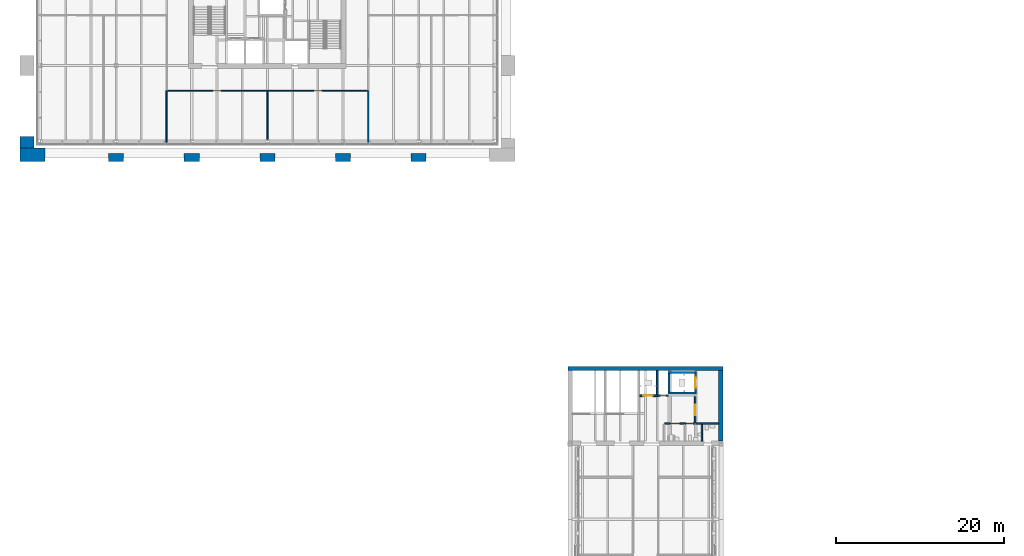
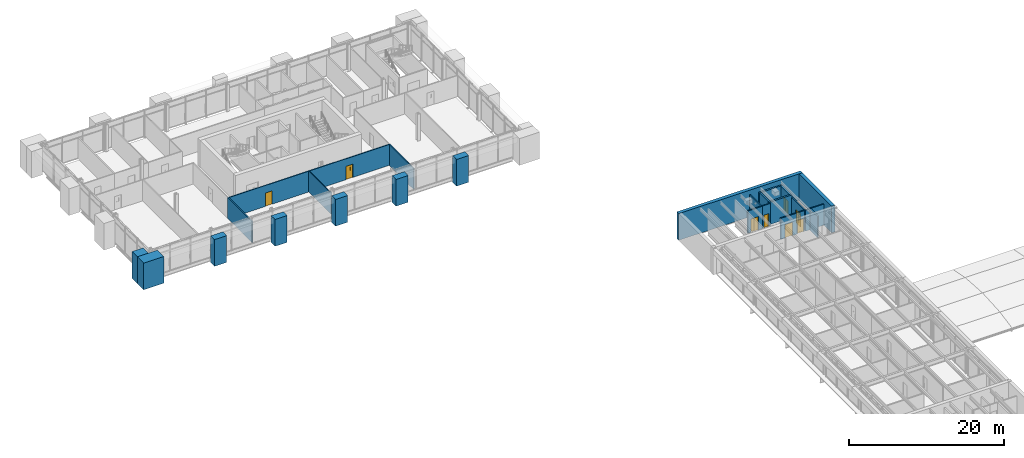
# One storey, part 22 of 43: 27 walls, 8 doors, 8 openings.
"""IFC4 building model written with IfcOpenShell, lengths in metres."""

from ifc_helpers import new_model, si_unit, direction, frame, frame_2d, origin, place, context, subcontext, project, spatial, polyline, rectangle, outline, extrude, material, layer, layer_set, type_object, element, fill, save


model = new_model("IFC4")

# Units and contexts
model_context = context("Model", 3, precision=1e-05, world=origin(), true_north=direction((0.0, 1.0)))
body_context = subcontext(model_context, "Body", "Model", "MODEL_VIEW")
ifc_project = project(units=[si_unit("LENGTHUNIT", "METRE"), si_unit("AREAUNIT", "SQUARE_METRE"), si_unit("VOLUMEUNIT", "CUBIC_METRE"), si_unit("PLANEANGLEUNIT", "RADIAN"), si_unit("MASSUNIT", "GRAM", prefix="KILO")], contexts=[model_context])

# Site, building, storey
site_placement = place(None, origin())
site = spatial("IfcSite", under=ifc_project, at=site_placement, CompositionType="ELEMENT")
building_placement = place(site_placement, origin())
building = spatial("IfcBuilding", under=site, at=building_placement, Name="Baradari Gate Terminus", CompositionType="ELEMENT")
storey_placement = place(building_placement, frame((0.0, 0.0, 20.10009765625)))
storey = spatial("IfcBuildingStorey", under=building, at=storey_placement, Name="L04", CompositionType="ELEMENT", Elevation=20.10009765625)

# Walls
ifc_material_1 = material(Name="Concrete C40/50", Category="concrete")
ifc_layer_1 = layer(ifc_material_1, 0.5)
ifc_layer_set_1 = layer_set([ifc_layer_1], Name="Concrete C40/50")
wall_type_1 = type_object("IfcWallType", Name="Abutment core wall CWL05 500", PredefinedType="SOLIDWALL", material=ifc_layer_set_1)
wall_1_placement = place(storey_placement, frame((71.800048828125, 89.949951171875, 0.0), z_axis=(0.0, 0.0, 1.0), x_axis=(1.0, 0.0, 0.0)))
element("IfcWall", 1, at=wall_1_placement, inside=storey, type_object=wall_type_1, Name="Abutment core wall GN N L04", PredefinedType="SOLIDWALL", context=body_context, shape_type="SweptSolid", body=[
    extrude(rectangle(XDim=18.39990234375, YDim=0.5, at=frame_2d((9.199951171875, 0.0))), origin(), (0.0, 0.0, 1.0), 4.199951171875),
])
wall_2_placement = place(storey_placement, frame((89.949951171875, 81.300048828125, 0.0), z_axis=(0.0, 0.0, 1.0), x_axis=(0.0, 1.0, 0.0)))
element("IfcWall", 2, at=wall_2_placement, inside=storey, type_object=wall_type_1, Name="Abutment core wall GN E L04", PredefinedType="SOLIDWALL", context=body_context, shape_type="SweptSolid", body=[
    extrude(rectangle(XDim=8.39990234375, YDim=0.5, at=frame_2d((4.199951171875, 0.0))), origin(), (0.0, 0.0, 1.0), 4.199951171875),
])

# Wall, opening, door
ifc_material_2 = material(Name="Gypsum board")
ifc_layer_2 = layer(ifc_material_2, 0.125)
ifc_layer_set_2 = layer_set([ifc_layer_2], Name="Gypsum board")
wall_type_2 = type_object("IfcWallType", Name="Corridor partition PT-5 125 EI 30", PredefinedType="PARTITIONING", material=ifc_layer_set_2)
wall_3_placement = place(storey_placement, frame((47.925048828125, 123.0, 0.0), z_axis=(0.0, 0.0, 1.0), x_axis=(-1.0, 0.0, 0.0)))
wall_3 = element("IfcWall", 3, at=wall_3_placement, inside=storey, type_object=wall_type_2, Name="PT-5 partition Corridor / Personnel Office", PredefinedType="PARTITIONING", context=body_context, shape_type="SweptSolid", body=[
    extrude(rectangle(XDim=11.925048828125, YDim=0.125, at=frame_2d((5.96240234375, 0.0))), origin(), (0.0, 0.0, 1.0), 3.286865234375),
])
opening_1_placement = place(wall_3_placement, frame((5.425048828125, 0.0, 0.0)))
opening_1 = element("IfcOpeningElement", 4, at=opening_1_placement, cuts=wall_3, Name="Opening D04-028", PredefinedType="OPENING", context=body_context, shape_type="SweptSolid", body=[
    extrude(rectangle(XDim=1.0, YDim=2.10009765625, at=frame_2d((0.5, 1.050048828125))), frame((0.0, 0.072509765625, 0.0), z_axis=(0.0, -1.0, 0.0), x_axis=(1.0, 0.0, 0.0)), (0.0, 0.0, 1.0), 0.14501953125),
])
ifc_material_3 = material(Name="Steel S275", Category="steel")
door_type_1 = type_object("IfcDoorType", Name="Fire door FI-1000-FD30S 1000x2100 FD30S", OperationType="SINGLE_SWING_LEFT", PredefinedType="DOOR", material=ifc_material_3)
door_1_placement = place(opening_1_placement, origin())
door_1 = element("IfcDoor", 5, at=door_1_placement, inside=storey, type_object=door_type_1, Name="Door Personnel Office", OperationType="SINGLE_SWING_LEFT", OverallHeight=2.1, OverallWidth=1.0, PredefinedType="DOOR", context=body_context, shape_type="SweptSolid", body=[
    extrude(outline(polyline([(0.0, 0.0), (0.070068359375, 0.0), (0.070068359375, 2.030029296875), (0.929931640625, 2.030029296875), (0.929931640625, 0.0), (1.0, 0.0), (1.0, 2.10009765625), (0.0, 2.10009765625), (0.0, 0.0)])), frame((0.0, 0.02490234375, 0.0), z_axis=(0.0, -1.0, 0.0), x_axis=(1.0, 0.0, 0.0)), (0.0, 0.0, 1.0), 0.050048828125),
    extrude(outline(polyline([(0.073974609375, 0.010009765625), (0.926025390625, 0.010009765625), (0.926025390625, 2.026123046875), (0.073974609375, 2.026123046875), (0.073974609375, 0.010009765625)]), holes=[polyline([(0.194091796875, 0.159912109375), (0.805908203125, 0.159912109375), (0.805908203125, 1.010009765625), (0.194091796875, 1.010009765625), (0.194091796875, 0.159912109375)]), polyline([(0.35009765625, 1.159912109375), (0.64990234375, 1.159912109375), (0.64990234375, 1.760009765625), (0.35009765625, 1.760009765625), (0.35009765625, 1.159912109375)])]), frame((0.0, 0.017333984375, 0.0), z_axis=(0.0, -1.0, 0.0), x_axis=(1.0, 0.0, 0.0)), (0.0, 0.0, 1.0), 0.034912109375),
    extrude(rectangle(XDim=0.61181640625, YDim=0.85009765625, at=frame_2d((0.5, 0.5849609375))), frame((0.0, 0.008544921875, 0.0), z_axis=(0.0, -1.0, 0.0), x_axis=(1.0, 0.0, 0.0)), (0.0, 0.0, 1.0), 0.017333984375),
    extrude(rectangle(XDim=0.2998046875, YDim=0.60009765625, at=frame_2d((0.5, 1.4599609375))), frame((0.0, 0.005859375, 0.0), z_axis=(0.0, -1.0, 0.0), x_axis=(1.0, 0.0, 0.0)), (0.0, 0.0, 1.0), 0.011962890625),
])
fill(opening_1, door_1)

wall_4_placement = place(storey_placement, frame((36.0, 123.0, 0.0), z_axis=(0.0, 0.0, 1.0), x_axis=(-1.0, 0.0, 0.0)))
wall_4 = element("IfcWall", 6, at=wall_4_placement, inside=storey, type_object=wall_type_2, Name="PT-5 partition Corridor / Accounts Office", PredefinedType="PARTITIONING", context=body_context, shape_type="SweptSolid", body=[
    extrude(rectangle(XDim=11.925048828125, YDim=0.125, at=frame_2d((5.96240234375, 0.0))), origin(), (0.0, 0.0, 1.0), 3.286865234375),
])
opening_2_placement = place(wall_4_placement, frame((5.5, 0.0, 0.0)))
opening_2 = element("IfcOpeningElement", 7, at=opening_2_placement, cuts=wall_4, Name="Opening D04-027", PredefinedType="OPENING", context=body_context, shape_type="SweptSolid", body=[
    extrude(rectangle(XDim=1.0, YDim=2.10009765625, at=frame_2d((0.5, 1.050048828125))), frame((0.0, 0.072509765625, 0.0), z_axis=(0.0, -1.0, 0.0), x_axis=(1.0, 0.0, 0.0)), (0.0, 0.0, 1.0), 0.14501953125),
])
door_2_placement = place(opening_2_placement, origin())
door_2 = element("IfcDoor", 8, at=door_2_placement, inside=storey, type_object=door_type_1, Name="Door Accounts Office", OperationType="SINGLE_SWING_LEFT", OverallHeight=2.1, OverallWidth=1.0, PredefinedType="DOOR", context=body_context, shape_type="SweptSolid", body=[
    extrude(outline(polyline([(0.0, 0.0), (0.070068359375, 0.0), (0.070068359375, 2.030029296875), (0.929931640625, 2.030029296875), (0.929931640625, 0.0), (1.0, 0.0), (1.0, 2.10009765625), (0.0, 2.10009765625), (0.0, 0.0)])), frame((0.0, 0.02490234375, 0.0), z_axis=(0.0, -1.0, 0.0), x_axis=(1.0, 0.0, 0.0)), (0.0, 0.0, 1.0), 0.050048828125),
    extrude(outline(polyline([(0.073974609375, 0.010009765625), (0.926025390625, 0.010009765625), (0.926025390625, 2.026123046875), (0.073974609375, 2.026123046875), (0.073974609375, 0.010009765625)]), holes=[polyline([(0.194091796875, 0.159912109375), (0.805908203125, 0.159912109375), (0.805908203125, 1.010009765625), (0.194091796875, 1.010009765625), (0.194091796875, 0.159912109375)]), polyline([(0.35009765625, 1.159912109375), (0.64990234375, 1.159912109375), (0.64990234375, 1.760009765625), (0.35009765625, 1.760009765625), (0.35009765625, 1.159912109375)])]), frame((0.0, 0.017333984375, 0.0), z_axis=(0.0, -1.0, 0.0), x_axis=(1.0, 0.0, 0.0)), (0.0, 0.0, 1.0), 0.034912109375),
    extrude(rectangle(XDim=0.61181640625, YDim=0.85009765625, at=frame_2d((0.5, 0.5849609375))), frame((0.0, 0.008544921875, 0.0), z_axis=(0.0, -1.0, 0.0), x_axis=(1.0, 0.0, 0.0)), (0.0, 0.0, 1.0), 0.017333984375),
    extrude(rectangle(XDim=0.2998046875, YDim=0.60009765625, at=frame_2d((0.5, 1.4599609375))), frame((0.0, 0.005859375, 0.0), z_axis=(0.0, -1.0, 0.0), x_axis=(1.0, 0.0, 0.0)), (0.0, 0.0, 1.0), 0.011962890625),
])
fill(opening_2, door_2)

# Walls
ifc_material_4 = material(Name="Concrete C32/40", Category="concrete")
ifc_layer_3 = layer(ifc_material_4, 0.25)
ifc_layer_set_3 = layer_set([ifc_layer_3], Name="Concrete C32/40")
wall_type_3 = type_object("IfcWallType", Name="Firefighting lift shaft wall SH-2 250 EI 120", PredefinedType="SOLIDWALL", material=ifc_layer_set_3)
for number, where, z_axis, x_axis, name in (
    (9, (83.64990234375, 87.02490234375, 0.0), (0.0, 0.0, 1.0), (1.0, 0.0, 0.0), "Lift shaft wall LGN2 L04 S"),
    (10, (83.64990234375, 89.47509765625, 0.0), (0.0, 0.0, 1.0), (1.0, 0.0, 0.0), "Lift shaft wall LGN2 L04 N"),
):
    element("IfcWall", number, at=place(storey_placement, frame(where, z_axis=z_axis, x_axis=x_axis)), inside=storey, type_object=wall_type_3, Name=name, PredefinedType="SOLIDWALL", context=body_context, shape_type="SweptSolid", body=[
        extrude(rectangle(XDim=3.400146484375, YDim=0.25, at=frame_2d((1.7001953125, 0.0))), origin(), (0.0, 0.0, 1.0), 3.515869140625),
    ])
wall_5_placement = place(storey_placement, frame((83.77490234375, 87.14990234375, 0.0), z_axis=(0.0, 0.0, 1.0), x_axis=(0.0, 1.0, 0.0)))
element("IfcWall", 11, at=wall_5_placement, inside=storey, type_object=wall_type_3, Name="Lift shaft wall LGN2 L04 W", PredefinedType="SOLIDWALL", context=body_context, shape_type="SweptSolid", body=[
    extrude(rectangle(XDim=2.2001953125, YDim=0.25, at=frame_2d((1.10009765625, 0.0))), origin(), (0.0, 0.0, 1.0), 3.515869140625),
])

# Wall, opening, door
wall_6_placement = place(storey_placement, frame((86.925048828125, 87.14990234375, 0.0), z_axis=(0.0, 0.0, 1.0), x_axis=(0.0, 1.0, 0.0)))
wall_6 = element("IfcWall", 12, at=wall_6_placement, inside=storey, type_object=wall_type_3, Name="Lift shaft wall LGN2 L04 E", PredefinedType="SOLIDWALL", context=body_context, shape_type="SweptSolid", body=[
    extrude(rectangle(XDim=2.2001953125, YDim=0.25, at=frame_2d((1.10009765625, 0.0))), origin(), (0.0, 0.0, 1.0), 3.515869140625),
])
opening_3_placement = place(wall_6_placement, frame((0.5, 0.0, 0.0)))
opening_3 = element("IfcOpeningElement", 13, at=opening_3_placement, cuts=wall_6, Name="Opening D04-002", PredefinedType="OPENING", context=body_context, shape_type="SweptSolid", body=[
    extrude(rectangle(XDim=1.199951171875, YDim=2.10009765625, at=frame_2d((0.60009765625, 1.050048828125))), frame((0.0, 0.135009765625, 0.0), z_axis=(0.0, -1.0, 0.0), x_axis=(1.0, 0.0, 0.0)), (0.0, 0.0, 1.0), 0.27001953125),
])
ifc_material_5 = material(Name="Stainless steel 1.4301", Category="steel")
door_type_2 = type_object("IfcDoorType", Name="Lift landing door LD2 1200x2100 E 120", OperationType="SLIDING_TO_LEFT", PredefinedType="DOOR", material=ifc_material_5)
door_3_placement = place(opening_3_placement, origin())
door_3 = element("IfcDoor", 14, at=door_3_placement, inside=storey, type_object=door_type_2, Name="Lift landing door LGN2 L04", OperationType="SLIDING_TO_LEFT", OverallHeight=2.1, OverallWidth=1.2, PredefinedType="DOOR", context=body_context, shape_type="SweptSolid", body=[
    extrude(outline(polyline([(0.0, 0.0), (0.070068359375, 0.0), (0.070068359375, 2.030029296875), (1.1298828125, 2.030029296875), (1.1298828125, 0.0), (1.199951171875, 0.0), (1.199951171875, 2.10009765625), (0.0, 2.10009765625), (0.0, 0.0)])), frame((0.0, 0.02490234375, 0.0), z_axis=(0.0, -1.0, 0.0), x_axis=(1.0, 0.0, 0.0)), (0.0, 0.0, 1.0), 0.050048828125),
    extrude(rectangle(XDim=0.57861328125, YDim=2.01611328125, at=frame_2d((0.36328125, 1.01806640625))), frame((0.0, 0.017822265625, 0.0), z_axis=(0.0, -1.0, 0.0), x_axis=(1.0, 0.0, 0.0)), (0.0, 0.0, 1.0), 0.015869140625),
    extrude(rectangle(XDim=0.57470703125, YDim=2.01611328125, at=frame_2d((0.838623046875, 1.01806640625))), frame((0.0, -0.002197265625, 0.0), z_axis=(0.0, -1.0, 0.0), x_axis=(1.0, 0.0, 0.0)), (0.0, 0.0, 1.0), 0.015869140625),
])
fill(opening_3, door_3)

ifc_material_6 = material(Name="Blockwork wall, fire rated", Category="masonry")
ifc_layer_4 = layer(ifc_material_6, 0.199951171875)
ifc_layer_set_4 = layer_set([ifc_layer_4], Name="Blockwork wall, fire rated")
wall_type_4 = type_object("IfcWallType", Name="Lift shaft wall SH-1 200 EI 120", PredefinedType="SOLIDWALL", material=ifc_layer_set_4)
wall_7_placement = place(storey_placement, frame((80.302001953125, 86.699951171875, 0.0), z_axis=(0.0, 0.0, 1.0), x_axis=(1.0, 0.0, 0.0)))
wall_7 = element("IfcWall", 15, at=wall_7_placement, inside=storey, type_object=wall_type_4, Name="Lift shaft wall LGN1 L04 S", PredefinedType="SOLIDWALL", context=body_context, shape_type="SweptSolid", body=[
    extrude(rectangle(XDim=2.197998046875, YDim=0.199951171875, at=frame_2d((1.09912109375, 0.0))), origin(), (0.0, 0.0, 1.0), 3.515869140625),
])
opening_4_placement = place(wall_7_placement, frame((0.447998046875, 0.0, 0.0)))
opening_4 = element("IfcOpeningElement", 16, at=opening_4_placement, cuts=wall_7, Name="Opening D04-001", PredefinedType="OPENING", context=body_context, shape_type="SweptSolid", body=[
    extrude(rectangle(XDim=1.10009765625, YDim=2.10009765625, at=frame_2d((0.550048828125, 1.050048828125))), frame((0.0, 0.10986328125, 0.0), z_axis=(0.0, -1.0, 0.0), x_axis=(1.0, 0.0, 0.0)), (0.0, 0.0, 1.0), 0.219970703125),
])
ifc_material_7 = material(Name="Stainless steel 1.4301", Category="steel")
door_type_3 = type_object("IfcDoorType", Name="Lift landing door LD 1100x2100 E 120", OperationType="SLIDING_TO_LEFT", PredefinedType="DOOR", material=ifc_material_7)
door_4_placement = place(opening_4_placement, origin())
door_4 = element("IfcDoor", 17, at=door_4_placement, inside=storey, type_object=door_type_3, Name="Lift landing door LGN1 L04", OperationType="SLIDING_TO_LEFT", OverallHeight=2.1, OverallWidth=1.1, PredefinedType="DOOR", context=body_context, shape_type="SweptSolid", body=[
    extrude(outline(polyline([(0.0, 0.0), (0.070068359375, 0.0), (0.070068359375, 2.030029296875), (1.030029296875, 2.030029296875), (1.030029296875, 0.0), (1.10009765625, 0.0), (1.10009765625, 2.10009765625), (0.0, 2.10009765625), (0.0, 0.0)])), frame((0.0, 0.02490234375, 0.0), z_axis=(0.0, -1.0, 0.0), x_axis=(1.0, 0.0, 0.0)), (0.0, 0.0, 1.0), 0.050048828125),
    extrude(rectangle(XDim=0.523681640625, YDim=2.01611328125, at=frame_2d((0.3359375, 1.01806640625))), frame((0.0, 0.017822265625, 0.0), z_axis=(0.0, -1.0, 0.0), x_axis=(1.0, 0.0, 0.0)), (0.0, 0.0, 1.0), 0.015869140625),
    extrude(rectangle(XDim=0.519775390625, YDim=2.01611328125, at=frame_2d((0.76611328125, 1.01806640625))), frame((0.0, -0.002197265625, 0.0), z_axis=(0.0, -1.0, 0.0), x_axis=(1.0, 0.0, 0.0)), (0.0, 0.0, 1.0), 0.015869140625),
])
fill(opening_4, door_4)

# Wall
wall_8_placement = place(storey_placement, frame((82.39990234375, 86.800048828125, 0.0), z_axis=(0.0, 0.0, 1.0), x_axis=(0.0, 1.0, 0.0)))
element("IfcWall", 18, at=wall_8_placement, inside=storey, type_object=wall_type_4, Name="Lift shaft wall LGN1 L04 E", PredefinedType="SOLIDWALL", context=body_context, shape_type="SweptSolid", body=[
    extrude(rectangle(XDim=2.89794921875, YDim=0.199951171875, at=frame_2d((1.448974609375, 0.0))), origin(), (0.0, 0.0, 1.0), 3.515869140625),
])

# Wall, opening, door
ifc_material_8 = material(Name="Blockwork wall, plastered, fire rated", Category="masonry")
ifc_layer_5 = layer(ifc_material_8, 0.199951171875)
ifc_layer_set_5 = layer_set([ifc_layer_5], Name="Blockwork wall, plastered, fire rated")
wall_type_5 = type_object("IfcWallType", Name="Lobby partition PT-4 200 EI 60", PredefinedType="PARTITIONING", material=ifc_layer_set_5)
wall_9_placement = place(storey_placement, frame((86.89990234375, 86.60009765625, 0.0), z_axis=(0.0, 0.0, 1.0), x_axis=(0.0, -1.0, 0.0)))
wall_9 = element("IfcWall", 19, at=wall_9_placement, inside=storey, type_object=wall_type_5, Name="PT-4 partition Lift Lobby / Lift Lobby (Fire-fighting)", PredefinedType="PARTITIONING", context=body_context, shape_type="SweptSolid", body=[
    extrude(rectangle(XDim=3.10009765625, YDim=0.199951171875, at=frame_2d((1.550048828125, 0.0))), origin(), (0.0, 0.0, 1.0), 3.3818359375),
])
opening_5_placement = place(wall_9_placement, frame((1.0, 0.0, 0.0)))
opening_5 = element("IfcOpeningElement", 20, at=opening_5_placement, cuts=wall_9, Name="Opening D04-034", PredefinedType="OPENING", context=body_context, shape_type="SweptSolid", body=[
    extrude(rectangle(XDim=1.199951171875, YDim=2.10009765625, at=frame_2d((0.60009765625, 1.050048828125))), frame((0.0, 0.10986328125, 0.0), z_axis=(0.0, -1.0, 0.0), x_axis=(1.0, 0.0, 0.0)), (0.0, 0.0, 1.0), 0.219970703125),
])
ifc_material_9 = material(Name="Steel S275", Category="steel")
door_type_4 = type_object("IfcDoorType", Name="Fire door FI-1200-FD60S 1200x2100 FD60S", OperationType="DOUBLE_DOOR_SINGLE_SWING", PredefinedType="DOOR", material=ifc_material_9)
door_5_placement = place(opening_5_placement, origin())
door_5 = element("IfcDoor", 21, at=door_5_placement, inside=storey, type_object=door_type_4, Name="Door Lift Lobby (Fire-fighting)", OperationType="DOUBLE_DOOR_SINGLE_SWING", OverallHeight=2.1, OverallWidth=1.2, PredefinedType="DOOR", context=body_context, shape_type="SweptSolid", body=[
    extrude(outline(polyline([(0.0, 0.0), (0.070068359375, 0.0), (0.070068359375, 2.030029296875), (1.1298828125, 2.030029296875), (1.1298828125, 0.0), (1.199951171875, 0.0), (1.199951171875, 2.10009765625), (0.0, 2.10009765625), (0.0, 0.0)])), frame((0.0, 0.02490234375, 0.0), z_axis=(0.0, -1.0, 0.0), x_axis=(1.0, 0.0, 0.0)), (0.0, 0.0, 1.0), 0.050048828125),
    extrude(outline(polyline([(0.073974609375, 0.010009765625), (0.596923828125, 0.010009765625), (0.596923828125, 2.026123046875), (0.073974609375, 2.026123046875), (0.073974609375, 0.010009765625)]), holes=[polyline([(0.178466796875, 0.372802734375), (0.492431640625, 0.372802734375), (0.492431640625, 1.7841796875), (0.178466796875, 1.7841796875), (0.178466796875, 0.372802734375)])]), frame((0.0, 0.017333984375, 0.0), z_axis=(0.0, -1.0, 0.0), x_axis=(1.0, 0.0, 0.0)), (0.0, 0.0, 1.0), 0.034912109375),
    extrude(rectangle(XDim=0.31396484375, YDim=1.411376953125, at=frame_2d((0.33544921875, 1.07861328125))), frame((0.0, 0.008544921875, 0.0), z_axis=(0.0, -1.0, 0.0), x_axis=(1.0, 0.0, 0.0)), (0.0, 0.0, 1.0), 0.017333984375),
    extrude(outline(polyline([(0.60302734375, 0.010009765625), (1.1259765625, 0.010009765625), (1.1259765625, 2.026123046875), (0.60302734375, 2.026123046875), (0.60302734375, 0.010009765625)]), holes=[polyline([(0.70751953125, 0.372802734375), (1.021484375, 0.372802734375), (1.021484375, 1.7841796875), (0.70751953125, 1.7841796875), (0.70751953125, 0.372802734375)])]), frame((0.0, 0.017333984375, 0.0), z_axis=(0.0, -1.0, 0.0), x_axis=(1.0, 0.0, 0.0)), (0.0, 0.0, 1.0), 0.034912109375),
    extrude(rectangle(XDim=0.31396484375, YDim=1.411376953125, at=frame_2d((0.864501953125, 1.07861328125))), frame((0.0, 0.008544921875, 0.0), z_axis=(0.0, -1.0, 0.0), x_axis=(1.0, 0.0, 0.0)), (0.0, 0.0, 1.0), 0.017333984375),
])
fill(opening_5, door_5)

# Walls
ifc_material_10 = material(Name="Blockwork wall, plastered", Category="masonry")
ifc_layer_6 = layer(ifc_material_10, 0.14990234375)
ifc_layer_set_6 = layer_set([ifc_layer_6], Name="Blockwork wall, plastered")
wall_type_6 = type_object("IfcWallType", Name="Partition PT-2 150 EI 60", PredefinedType="PARTITIONING", material=ifc_layer_set_6)
for number, where, z_axis, x_axis, name in (
    (22, (24.0, 123.0, 0.0), (0.0, 0.0, 1.0), (0.0, -1.0, 0.0), "PT-2 partition Records Room / Accounts Office"),
    (23, (48.0, 116.705078125, 0.0), (0.0, 0.0, 1.0), (0.0, 1.0, 0.0), "PT-2 partition Meeting Room 1 / Personnel Office"),
):
    element("IfcWall", number, at=place(storey_placement, frame(where, z_axis=z_axis, x_axis=x_axis)), inside=storey, type_object=wall_type_6, Name=name, PredefinedType="PARTITIONING", context=body_context, shape_type="SweptSolid", body=[
        extrude(rectangle(XDim=6.294921875, YDim=0.14990234375, at=frame_2d((3.1474609375, 0.0))), origin(), (0.0, 0.0, 1.0), 3.306884765625),
    ])
wall_10_placement = place(storey_placement, frame((36.0, 122.9375, 0.0), z_axis=(0.0, 0.0, 1.0), x_axis=(0.0, -1.0, 0.0)))
element("IfcWall", 24, at=wall_10_placement, inside=storey, type_object=wall_type_6, Name="PT-2 partition Accounts Office / Personnel Office", PredefinedType="PARTITIONING", context=body_context, shape_type="SweptSolid", body=[
    extrude(rectangle(XDim=5.7470703125, YDim=0.14990234375, at=frame_2d((2.87353515625, 0.0))), origin(), (0.0, 0.0, 1.0), 3.306884765625),
])

# Wall, opening, door
ifc_material_11 = material(Name="Blockwork wall, fire rated", Category="masonry")
ifc_layer_7 = layer(ifc_material_11, 0.14990234375)
ifc_layer_set_7 = layer_set([ifc_layer_7], Name="Blockwork wall, fire rated")
wall_type_7 = type_object("IfcWallType", Name="Riser wall RW-1 150 EI 120", PredefinedType="SOLIDWALL", material=ifc_layer_set_7)
wall_11_placement = place(storey_placement, frame((82.501953125, 86.699951171875, 0.0), z_axis=(0.0, 0.0, 1.0), x_axis=(1.0, 0.0, 0.0)))
wall_11 = element("IfcWall", 25, at=wall_11_placement, inside=storey, type_object=wall_type_7, Name="RW-1 partition Lift Lobby / Riser", PredefinedType="SOLIDWALL", context=body_context, shape_type="SweptSolid", body=[
    extrude(rectangle(XDim=1.197998046875, YDim=0.14990234375, at=frame_2d((0.59912109375, 0.0))), origin(), (0.0, 0.0, 1.0), 3.515869140625),
])
opening_6_placement = place(wall_11_placement, frame((0.248046875, 0.0, 0.0)))
opening_6 = element("IfcOpeningElement", 26, at=opening_6_placement, cuts=wall_11, Name="Opening D04-035", PredefinedType="OPENING", context=body_context, shape_type="SweptSolid", body=[
    extrude(rectangle(XDim=0.699951171875, YDim=2.0, at=frame_2d((0.35009765625, 1.0))), frame((0.0, 0.0849609375, 0.0), z_axis=(0.0, -1.0, 0.0), x_axis=(1.0, 0.0, 0.0)), (0.0, 0.0, 1.0), 0.169921875),
])
ifc_material_12 = material(Name="Steel S275", Category="steel")
door_type_5 = type_object("IfcDoorType", Name="Fire door FI-700x2000-FD90S 700x2000 FD90S", OperationType="SINGLE_SWING_LEFT", PredefinedType="DOOR", material=ifc_material_12)
door_6_placement = place(opening_6_placement, origin())
door_6 = element("IfcDoor", 27, at=door_6_placement, inside=storey, type_object=door_type_5, Name="Door Riser", OperationType="SINGLE_SWING_LEFT", OverallHeight=2.0, OverallWidth=0.7, PredefinedType="DOOR", context=body_context, shape_type="SweptSolid", body=[
    extrude(outline(polyline([(0.0, 0.0), (0.070068359375, 0.0), (0.070068359375, 1.929931640625), (0.6298828125, 1.929931640625), (0.6298828125, 0.0), (0.699951171875, 0.0), (0.699951171875, 2.0), (0.0, 2.0), (0.0, 0.0)])), frame((0.0, 0.02490234375, 0.0), z_axis=(0.0, -1.0, 0.0), x_axis=(1.0, 0.0, 0.0)), (0.0, 0.0, 1.0), 0.050048828125),
    extrude(outline(polyline([(0.073974609375, 0.010009765625), (0.6259765625, 0.010009765625), (0.6259765625, 1.926025390625), (0.073974609375, 1.926025390625), (0.073974609375, 0.010009765625)]), holes=[polyline([(0.184326171875, 0.159912109375), (0.515625, 0.159912109375), (0.515625, 1.010009765625), (0.184326171875, 1.010009765625), (0.184326171875, 0.159912109375)]), polyline([(0.199951171875, 1.159912109375), (0.5, 1.159912109375), (0.5, 1.760009765625), (0.199951171875, 1.760009765625), (0.199951171875, 1.159912109375)])]), frame((0.0, 0.017333984375, 0.0), z_axis=(0.0, -1.0, 0.0), x_axis=(1.0, 0.0, 0.0)), (0.0, 0.0, 1.0), 0.034912109375),
    extrude(rectangle(XDim=0.331298828125, YDim=0.85009765625, at=frame_2d((0.35009765625, 0.5849609375))), frame((0.0, 0.008544921875, 0.0), z_axis=(0.0, -1.0, 0.0), x_axis=(1.0, 0.0, 0.0)), (0.0, 0.0, 1.0), 0.017333984375),
    extrude(rectangle(XDim=0.300048828125, YDim=0.60009765625, at=frame_2d((0.35009765625, 1.4599609375))), frame((0.0, 0.005859375, 0.0), z_axis=(0.0, -1.0, 0.0), x_axis=(1.0, 0.0, 0.0)), (0.0, 0.0, 1.0), 0.011962890625),
])
fill(opening_6, door_6)

# Walls
ifc_material_13 = material(Name="Concrete C40/50 precast", Category="concrete")
ifc_layer_8 = layer(ifc_material_13, 1.55)
ifc_material_14 = material(Name="Sandstone cladding", Category="masonry")
ifc_layer_9 = layer(ifc_material_14, 0.1)
ifc_layer_set_8 = layer_set([ifc_layer_8, ifc_layer_9], Name="Concrete C40/50 precast")
wall_type_8 = type_object("IfcWallType", Name="Sandstone-faced precast frame pier WQ-4 1650", PredefinedType="SOLIDWALL", material=ifc_layer_set_8)
wall_12_placement = place(storey_placement, frame((6.554931640625, 115.3798828125, 0.0), z_axis=(0.0, 0.0, 1.0), x_axis=(1.0, 0.0, 0.0)))
element("IfcWall", 28, at=wall_12_placement, inside=storey, type_object=wall_type_8, Name="Corner pilaster SW leg A L04", PredefinedType="SOLIDWALL", context=body_context, shape_type="SweptSolid", body=[
    extrude(rectangle(XDim=3.0, YDim=1.64990234375, at=frame_2d((1.5, 0.0))), origin(), (0.0, 0.0, 1.0), 4.199951171875),
])
wall_13_placement = place(storey_placement, frame((7.3798828125, 116.205078125, 0.0), z_axis=(0.0, 0.0, 1.0), x_axis=(0.0, 1.0, 0.0)))
element("IfcWall", 29, at=wall_13_placement, inside=storey, type_object=wall_type_8, Name="Corner pilaster SW leg B L04", PredefinedType="SOLIDWALL", context=body_context, shape_type="SweptSolid", body=[
    extrude(rectangle(XDim=1.349853515625, YDim=1.64990234375, at=frame_2d((0.6748046875, 0.0))), origin(), (0.0, 0.0, 1.0), 4.199951171875),
])
ifc_layer_10 = layer(ifc_material_13, 0.9)
ifc_layer_11 = layer(ifc_material_14, 0.1)
ifc_layer_set_9 = layer_set([ifc_layer_10, ifc_layer_11], Name="Concrete C40/50 precast")
wall_type_9 = type_object("IfcWallType", Name="Sandstone-faced precast grid pier WQ-6 1000", PredefinedType="SOLIDWALL", material=ifc_layer_set_9)
for number, where, z_axis, x_axis, name in (
    (30, (17.10009765625, 115.054931640625, 0.0), (0.0, 0.0, 1.0), (1.0, 0.0, 0.0), "Frame pier S face bay 1 a L04"),
    (31, (26.10009765625, 115.054931640625, 0.0), (0.0, 0.0, 1.0), (1.0, 0.0, 0.0), "Frame pier S face bay 1 b L04"),
    (32, (44.10009765625, 115.054931640625, 0.0), (0.0, 0.0, 1.0), (1.0, 0.0, 0.0), "Frame pier S face bay 2 a L04"),
    (33, (53.10009765625, 115.054931640625, 0.0), (0.0, 0.0, 1.0), (1.0, 0.0, 0.0), "Frame pier S face bay 2 b L04"),
    (34, (35.10009765625, 115.054931640625, 0.0), (0.0, 0.0, 1.0), (1.0, 0.0, 0.0), "Grid pier S face grid 36 L04"),
):
    element("IfcWall", number, at=place(storey_placement, frame(where, z_axis=z_axis, x_axis=x_axis)), inside=storey, type_object=wall_type_9, Name=name, PredefinedType="SOLIDWALL", context=body_context, shape_type="SweptSolid", body=[
        extrude(rectangle(XDim=1.7998046875, YDim=1.0, at=frame_2d((0.89990234375, 0.0))), origin(), (0.0, 0.0, 1.0), 4.199951171875),
    ])

# Wall, opening, door
ifc_material_15 = material(Name="Blockwork wall, tiled both faces", Category="masonry")
ifc_layer_12 = layer(ifc_material_15, 0.175048828125)
ifc_layer_set_10 = layer_set([ifc_layer_12], Name="Blockwork wall, tiled both faces")
wall_type_10 = type_object("IfcWallType", Name="WC wet wall PT-6 175 EI 60", PredefinedType="PARTITIONING", material=ifc_layer_set_10)
wall_14_placement = place(storey_placement, frame((85.699951171875, 83.39990234375, 0.0), z_axis=(0.0, 0.0, 1.0), x_axis=(-1.0, 0.0, 0.0)))
wall_14 = element("IfcWall", 35, at=wall_14_placement, inside=storey, type_object=wall_type_10, Name="PT-6 partition Lift Lobby / Accessible WC", PredefinedType="PARTITIONING", context=body_context, shape_type="SweptSolid", body=[
    extrude(rectangle(XDim=2.39990234375, YDim=0.175048828125, at=frame_2d((1.199951171875, 0.0))), origin(), (0.0, 0.0, 1.0), 3.306884765625),
])
opening_7_placement = place(wall_14_placement, frame((0.64990234375, 0.0, 0.0)))
opening_7 = element("IfcOpeningElement", 36, at=opening_7_placement, cuts=wall_14, Name="Opening D04-036", PredefinedType="OPENING", context=body_context, shape_type="SweptSolid", body=[
    extrude(rectangle(XDim=1.10009765625, YDim=2.10009765625, at=frame_2d((0.550048828125, 1.050048828125))), frame((0.0, 0.097412109375, 0.0), z_axis=(0.0, -1.0, 0.0), x_axis=(1.0, 0.0, 0.0)), (0.0, 0.0, 1.0), 0.195068359375),
])
ifc_material_16 = material(Name="Steel S275", Category="steel")
door_type_6 = type_object("IfcDoorType", Name="Fire door FI-1100-FD60S 1100x2100 FD60S", OperationType="SINGLE_SWING_LEFT", PredefinedType="DOOR", material=ifc_material_16)
door_7_placement = place(opening_7_placement, origin())
door_7 = element("IfcDoor", 37, at=door_7_placement, inside=storey, type_object=door_type_6, Name="Door Accessible WC", OperationType="SINGLE_SWING_LEFT", OverallHeight=2.1, OverallWidth=1.1, PredefinedType="DOOR", context=body_context, shape_type="SweptSolid", body=[
    extrude(outline(polyline([(0.0, 0.0), (0.070068359375, 0.0), (0.070068359375, 2.030029296875), (1.030029296875, 2.030029296875), (1.030029296875, 0.0), (1.10009765625, 0.0), (1.10009765625, 2.10009765625), (0.0, 2.10009765625), (0.0, 0.0)])), frame((0.0, 0.02490234375, 0.0), z_axis=(0.0, -1.0, 0.0), x_axis=(1.0, 0.0, 0.0)), (0.0, 0.0, 1.0), 0.050048828125),
    extrude(outline(polyline([(0.073974609375, 0.010009765625), (1.026123046875, 0.010009765625), (1.026123046875, 2.026123046875), (0.073974609375, 2.026123046875), (0.073974609375, 0.010009765625)]), holes=[polyline([(0.194091796875, 0.159912109375), (0.906005859375, 0.159912109375), (0.906005859375, 1.010009765625), (0.194091796875, 1.010009765625), (0.194091796875, 0.159912109375)]), polyline([(0.400146484375, 1.159912109375), (0.699951171875, 1.159912109375), (0.699951171875, 1.760009765625), (0.400146484375, 1.760009765625), (0.400146484375, 1.159912109375)])]), frame((0.0, 0.017333984375, 0.0), z_axis=(0.0, -1.0, 0.0), x_axis=(1.0, 0.0, 0.0)), (0.0, 0.0, 1.0), 0.034912109375),
    extrude(rectangle(XDim=0.7119140625, YDim=0.85009765625, at=frame_2d((0.550048828125, 0.5849609375))), frame((0.0, 0.008544921875, 0.0), z_axis=(0.0, -1.0, 0.0), x_axis=(1.0, 0.0, 0.0)), (0.0, 0.0, 1.0), 0.017333984375),
    extrude(rectangle(XDim=0.2998046875, YDim=0.60009765625, at=frame_2d((0.550048828125, 1.4599609375))), frame((0.0, 0.005859375, 0.0), z_axis=(0.0, -1.0, 0.0), x_axis=(1.0, 0.0, 0.0)), (0.0, 0.0, 1.0), 0.011962890625),
])
fill(opening_7, door_7)

wall_15_placement = place(storey_placement, frame((86.800048828125, 83.39990234375, 0.0), z_axis=(0.0, 0.0, 1.0), x_axis=(-1.0, 0.0, 0.0)))
wall_15 = element("IfcWall", 38, at=wall_15_placement, inside=storey, type_object=wall_type_10, Name="PT-6 partition Lift Lobby / Male WC", PredefinedType="PARTITIONING", context=body_context, shape_type="SweptSolid", body=[
    extrude(rectangle(XDim=1.10009765625, YDim=0.175048828125, at=frame_2d((0.550048828125, 0.0))), origin(), (0.0, 0.0, 1.0), 3.306884765625),
])
opening_8_placement = place(wall_15_placement, frame((0.10009765625, 0.0, 0.0)))
opening_8 = element("IfcOpeningElement", 39, at=opening_8_placement, cuts=wall_15, Name="Opening D04-037", PredefinedType="OPENING", context=body_context, shape_type="SweptSolid", body=[
    extrude(rectangle(XDim=0.89990234375, YDim=2.10009765625, at=frame_2d((0.449951171875, 1.050048828125))), frame((0.0, 0.097412109375, 0.0), z_axis=(0.0, -1.0, 0.0), x_axis=(1.0, 0.0, 0.0)), (0.0, 0.0, 1.0), 0.195068359375),
])
ifc_material_17 = material(Name="Steel S275", Category="steel")
door_type_7 = type_object("IfcDoorType", Name="Fire door FI-900-FD60S 900x2100 FD60S", OperationType="SINGLE_SWING_LEFT", PredefinedType="DOOR", material=ifc_material_17)
door_8_placement = place(opening_8_placement, origin())
door_8 = element("IfcDoor", 40, at=door_8_placement, inside=storey, type_object=door_type_7, Name="Door Male WC", OperationType="SINGLE_SWING_RIGHT", OverallHeight=2.1, OverallWidth=0.9, PredefinedType="DOOR", context=body_context, shape_type="SweptSolid", body=[
    extrude(outline(polyline([(0.0, 0.0), (0.070068359375, 0.0), (0.070068359375, 2.030029296875), (0.829833984375, 2.030029296875), (0.829833984375, 0.0), (0.89990234375, 0.0), (0.89990234375, 2.10009765625), (0.0, 2.10009765625), (0.0, 0.0)])), frame((0.0, 0.02490234375, 0.0), z_axis=(0.0, -1.0, 0.0), x_axis=(1.0, 0.0, 0.0)), (0.0, 0.0, 1.0), 0.050048828125),
    extrude(outline(polyline([(0.073974609375, 0.010009765625), (0.825927734375, 0.010009765625), (0.825927734375, 2.026123046875), (0.073974609375, 2.026123046875), (0.073974609375, 0.010009765625)]), holes=[polyline([(0.194091796875, 0.159912109375), (0.705810546875, 0.159912109375), (0.705810546875, 1.010009765625), (0.194091796875, 1.010009765625), (0.194091796875, 0.159912109375)]), polyline([(0.300048828125, 1.159912109375), (0.599853515625, 1.159912109375), (0.599853515625, 1.760009765625), (0.300048828125, 1.760009765625), (0.300048828125, 1.159912109375)])]), frame((0.0, 0.017333984375, 0.0), z_axis=(0.0, -1.0, 0.0), x_axis=(1.0, 0.0, 0.0)), (0.0, 0.0, 1.0), 0.034912109375),
    extrude(rectangle(XDim=0.51171875, YDim=0.85009765625, at=frame_2d((0.449951171875, 0.5849609375))), frame((0.0, 0.008544921875, 0.0), z_axis=(0.0, -1.0, 0.0), x_axis=(1.0, 0.0, 0.0)), (0.0, 0.0, 1.0), 0.017333984375),
    extrude(rectangle(XDim=0.2998046875, YDim=0.60009765625, at=frame_2d((0.449951171875, 1.4599609375))), frame((0.0, 0.005859375, 0.0), z_axis=(0.0, -1.0, 0.0), x_axis=(1.0, 0.0, 0.0)), (0.0, 0.0, 1.0), 0.011962890625),
])
fill(opening_8, door_8)

# Walls
wall_16_placement = place(storey_placement, frame((87.699951171875, 83.39990234375, 0.0), z_axis=(0.0, 0.0, 1.0), x_axis=(-1.0, 0.0, 0.0)))
element("IfcWall", 41, at=wall_16_placement, inside=storey, type_object=wall_type_10, Name="PT-6 partition Lift Lobby (Fire-fighting) / Male WC", PredefinedType="PARTITIONING", context=body_context, shape_type="SweptSolid", body=[
    extrude(rectangle(XDim=0.699951171875, YDim=0.175048828125, at=frame_2d((0.35009765625, 0.0))), origin(), (0.0, 0.0, 1.0), 3.306884765625),
])
for number, where, z_axis, x_axis, name in (
    (42, (89.697998046875, 83.39990234375, 0.0), (0.0, 0.0, 1.0), (-1.0, 0.0, 0.0), "PT-6 partition Lift Lobby (Fire-fighting) / Female WC"),
    (43, (87.699951171875, 83.300048828125, 0.0), (0.0, 0.0, 1.0), (0.0, -1.0, 0.0), "PT-6 partition Male WC / Female WC"),
):
    element("IfcWall", number, at=place(storey_placement, frame(where, z_axis=z_axis, x_axis=x_axis)), inside=storey, type_object=wall_type_10, Name=name, PredefinedType="PARTITIONING", context=body_context, shape_type="SweptSolid", body=[
        extrude(rectangle(XDim=1.998046875, YDim=0.175048828125, at=frame_2d((0.9990234375, 0.0))), origin(), (0.0, 0.0, 1.0), 3.306884765625),
    ])

save(model, "model.ifc")
